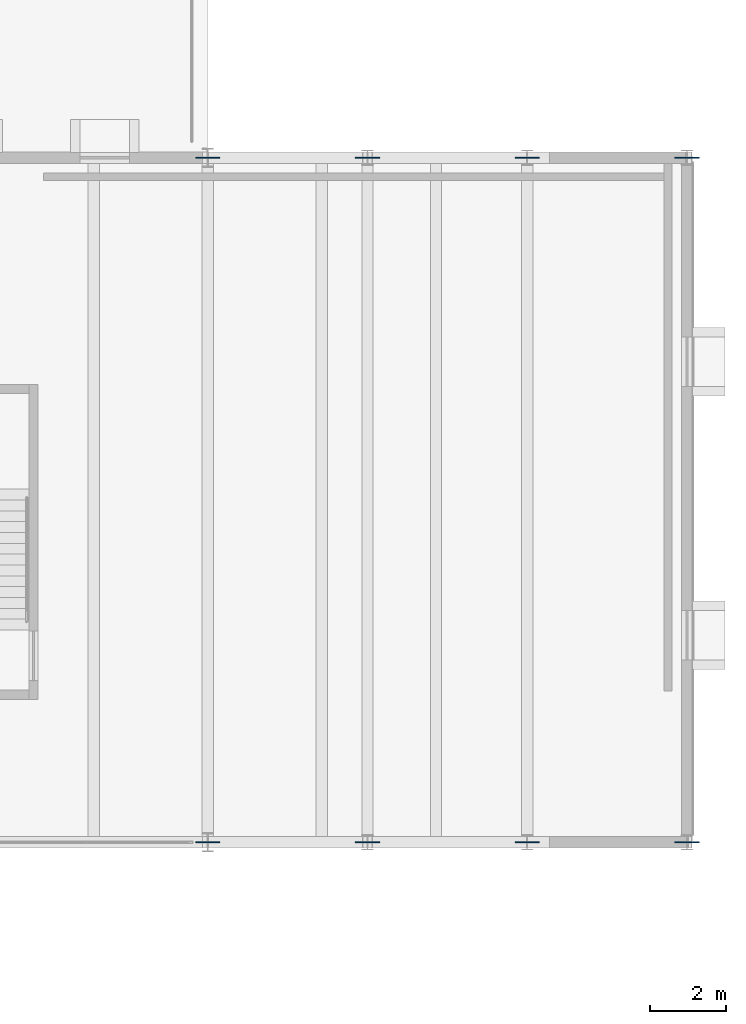
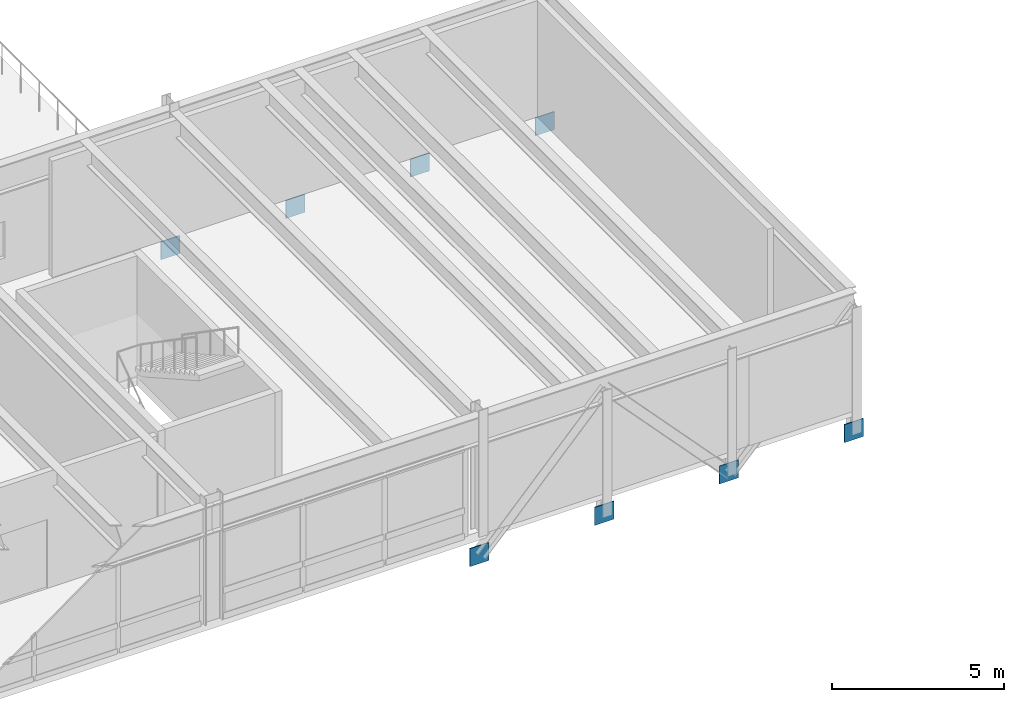
# One storey, part 101 of 115: 8 plates.
"""IFC4 building model written with IfcOpenShell, lengths in metres."""

import ifcopenshell
import ifcopenshell.guid

model = None  # the IFC model being written
_history = None  # IfcOwnerHistory: only IFC2X3 demands one
_inside = {}  # id of a spatial element -> (the spatial element, [elements in it])
_under = {}  # id of a project, library or spatial element -> (it, [spatial elements below it])
_declared = {}  # id of a project -> (the project, [libraries it declares])
_typed = {}  # id of a type object -> (the type object, [elements of that type])
_made_of = {}  # id of a material, layer set ... -> (it, [elements and type objects made of it])


def new_model(schema):
    """Start an empty IFC model of exactly this schema.

    Asked for "IFC4X3", IfcOpenShell would pick the latest addendum, in which some entities
    have other attributes; the version numbers below select the first issue.
    IFC2X3 requires an IfcOwnerHistory on every rooted entity: one is made here for all.
    """
    global model, _history
    if schema == "IFC4X3":
        model = ifcopenshell.file(schema_version=(4, 3, 0, 0))
    else:
        model = ifcopenshell.file(schema=schema)
    _inside.clear()
    _under.clear()
    _declared.clear()
    _typed.clear()
    _made_of.clear()
    _history = None
    if model.schema == "IFC2X3":
        org = make("IfcOrganization", Name="unknown")
        user = make(
            "IfcPersonAndOrganization",
            ThePerson=make("IfcPerson", FamilyName="unknown"),
            TheOrganization=org,
        )
        app = make(
            "IfcApplication",
            ApplicationDeveloper=org,
            Version="unknown",
            ApplicationFullName="unknown",
            ApplicationIdentifier="unknown",
        )
        _history = make(
            "IfcOwnerHistory",
            OwningUser=user,
            OwningApplication=app,
            ChangeAction="ADDED",
            CreationDate=0,
        )
    return model


def make(cls, **values):
    """One entity of the class cls with the attributes given. An attribute that is None is left unset."""
    return model.create_entity(
        cls, **{name: value for name, value in values.items() if value is not None}
    )


def rooted(cls, **values):
    """An entity with a GlobalId (a new one), such as an element, a storey or a relation."""
    return make(cls, GlobalId=ifcopenshell.guid.new(), OwnerHistory=_history, **values)


def si_unit(unit_type, name, prefix=None):
    """IfcSIUnit, for example si_unit("LENGTHUNIT", "METRE", prefix="MILLI")."""
    return make("IfcSIUnit", UnitType=unit_type, Prefix=prefix, Name=name)


def assignment(units):
    """IfcUnitAssignment: the units of a project."""
    return None if units is None else make("IfcUnitAssignment", Units=units)


def point(xyz):
    """IfcCartesianPoint."""
    return None if xyz is None else make("IfcCartesianPoint", Coordinates=xyz)


def direction(xyz):
    """IfcDirection."""
    return None if xyz is None else make("IfcDirection", DirectionRatios=xyz)


def frame(location, z_axis=None, x_axis=None):
    """IfcAxis2Placement3D, a coordinate frame: its origin and axes. An axis left out is left unset."""
    return make(
        "IfcAxis2Placement3D",
        Location=point(location),
        Axis=direction(z_axis),
        RefDirection=direction(x_axis),
    )


def frame_2d(location, x_axis=None):
    """IfcAxis2Placement2D, a coordinate frame in the plane: its origin and x axis."""
    return make(
        "IfcAxis2Placement2D", Location=point(location), RefDirection=direction(x_axis)
    )


def origin():
    """The frame at (0, 0, 0) with its axes left unset."""
    return frame((0.0, 0.0, 0.0))


def origin_2d():
    """The frame at (0, 0) in the plane with its x axis left unset."""
    return frame_2d((0.0, 0.0))


def place(relative_to, where):
    """IfcLocalPlacement: puts the frame where relative to a parent placement (None: the world)."""
    return make(
        "IfcLocalPlacement", PlacementRelTo=relative_to, RelativePlacement=where
    )


def context(
    kind, dimensions, precision=None, world=None, true_north=None, identifier=None
):
    """IfcGeometricRepresentationContext, for example the 3D "Model" context."""
    return make(
        "IfcGeometricRepresentationContext",
        ContextIdentifier=identifier,
        ContextType=kind,
        CoordinateSpaceDimension=dimensions,
        Precision=precision,
        WorldCoordinateSystem=world,
        TrueNorth=true_north,
    )


def subcontext(parent, identifier, kind, view, scale=None):
    """IfcGeometricRepresentationSubContext, for example "Body" below "Model"."""
    return make(
        "IfcGeometricRepresentationSubContext",
        ContextIdentifier=identifier,
        ContextType=kind,
        ParentContext=parent,
        TargetScale=scale,
        TargetView=view,
    )


def project(units=None, contexts=None):
    """IfcProject with its units and contexts."""
    return rooted(
        "IfcProject",
        Name="project",
        RepresentationContexts=contexts,
        UnitsInContext=assignment(units),
    )


def spatial(cls, under=None, at=None, **own):
    """A site, building, storey or space (cls), placed at a placement, below another one or the project."""
    s = rooted(cls, ObjectPlacement=at, **own)
    if under is not None:
        _under.setdefault(under.id(), (under, []))[1].append(s)
    return s


def profile(cls, at=None, kind="AREA", **sizes):
    """A parametric profile (cls). Its sizes go by their IFC names, for example OverallWidth=200.0."""
    return make(cls, ProfileType=kind, Position=at, **sizes)


def rectangle(**sizes):
    """IfcRectangleProfileDef."""
    return profile("IfcRectangleProfileDef", **sizes)


def extrude(swept, where, along, depth):
    """IfcExtrudedAreaSolid: the profile swept, set in the frame where, extruded along a direction by depth."""
    return make(
        "IfcExtrudedAreaSolid",
        SweptArea=swept,
        Position=where,
        ExtrudedDirection=direction(along),
        Depth=depth,
    )


def shape(context_of_items, identifier, shape_type, items):
    """IfcShapeRepresentation: the items that make up one representation, for example the "Body"."""
    return make(
        "IfcShapeRepresentation",
        ContextOfItems=context_of_items,
        RepresentationIdentifier=identifier,
        RepresentationType=shape_type,
        Items=items,
    )


def material(Name=None, Category=None):
    """IfcMaterial."""
    return make("IfcMaterial", Name=Name, Category=Category)


def layer(
    of_material, thickness, ventilated=None, Name=None, Category=None, Priority=None
):
    """IfcMaterialLayer: one layer of a wall or slab, of a material (None: an air gap)."""
    return make(
        "IfcMaterialLayer",
        Material=of_material,
        LayerThickness=thickness,
        IsVentilated=ventilated,
        Name=Name,
        Category=Category,
        Priority=Priority,
    )


def layer_set(layers, Name=None):
    """IfcMaterialLayerSet."""
    return make("IfcMaterialLayerSet", MaterialLayers=layers, LayerSetName=Name)


def made_of(thing, what):
    """Note that an element or type object is made of a material, layer set ...; save() writes the relation."""
    if what is not None:
        _made_of.setdefault(what.id(), (what, []))[1].append(thing)
    return thing


def type_object(cls, material=None, **own):
    """A type object (cls), such as IfcWallType, which elements share."""
    return made_of(rooted(cls, **own), material)


def element(
    cls,
    number,
    at=None,
    inside=None,
    cuts=None,
    type_object=None,
    material=None,
    context=None,
    identifier="Body",
    shape_type=None,
    held_by="IfcProductDefinitionShape",
    body=None,
    shapes=None,
    **own,
):
    """One element of the class cls, such as IfcWall. Its Tag is "e" and its number.

    at: its placement. inside: the storey or other place that contains it. cuts: it is an
    opening in that element (IfcRelVoidsElement). A single representation is given by context,
    identifier, shape_type and body (its items); several are given by shapes. held_by: the class
    of the entity that holds the representations. save() writes the other relations.
    """
    e = rooted(cls, Tag="e%d" % number, ObjectPlacement=at, **own)
    if body is not None:
        shapes = [shape(context, identifier, shape_type, body)]
    if shapes is not None:
        e.Representation = make(held_by, Representations=shapes)
    if inside is not None:
        _inside.setdefault(inside.id(), (inside, []))[1].append(e)
    if cuts is not None:
        rooted(
            "IfcRelVoidsElement", RelatingBuildingElement=cuts, RelatedOpeningElement=e
        )
    if type_object is not None:
        _typed.setdefault(type_object.id(), (type_object, []))[1].append(e)
    return made_of(e, material)


def aggregate(whole, parts):
    """IfcRelAggregates: a whole, such as a stair, and the parts it consists of."""
    return rooted("IfcRelAggregates", RelatingObject=whole, RelatedObjects=parts)


def save(model, path):
    """Write the relations noted so far, then the file.

    IfcRelAggregates (storeys below a building ...), IfcRelContainedInSpatialStructure (elements
    in a storey), IfcRelDefinesByType, IfcRelAssociatesMaterial and IfcRelDeclares: one each for
    every whole, place, type object, material and project.
    """
    for whole, parts in _under.values():
        aggregate(whole, parts)
    for where, things in _inside.values():
        rooted(
            "IfcRelContainedInSpatialStructure",
            RelatedElements=things,
            RelatingStructure=where,
        )
    for kind, things in _typed.values():
        rooted("IfcRelDefinesByType", RelatedObjects=things, RelatingType=kind)
    for what, things in _made_of.values():
        rooted("IfcRelAssociatesMaterial", RelatedObjects=things, RelatingMaterial=what)
    for by, libraries in _declared.values():
        rooted("IfcRelDeclares", RelatingContext=by, RelatedDefinitions=libraries)
    model.write(path)


model = new_model("IFC4")

# Units and contexts
model_context = context("Model", 3, precision=1e-05, world=origin(), true_north=direction((0.0, 1.0)))
body_context = subcontext(model_context, "Body", "Model", "MODEL_VIEW")
ifc_project = project(units=[si_unit("LENGTHUNIT", "METRE"), si_unit("AREAUNIT", "SQUARE_METRE"), si_unit("VOLUMEUNIT", "CUBIC_METRE"), si_unit("PLANEANGLEUNIT", "RADIAN"), si_unit("MASSUNIT", "GRAM", prefix="KILO")], contexts=[model_context])

# Site, building, storey
site_placement = place(None, origin())
site = spatial("IfcSite", under=ifc_project, at=site_placement, CompositionType="ELEMENT")
building_placement = place(site_placement, origin())
building = spatial("IfcBuilding", under=site, at=building_placement, Name="Montelvaro Courts of Justice", CompositionType="ELEMENT")
storey_placement = place(building_placement, frame((0.0, 0.0, 9.89990234375)))
storey = spatial("IfcBuildingStorey", under=building, at=storey_placement, Name="L02", CompositionType="ELEMENT", Elevation=9.89990234375)

# Plates
ifc_material = material(Name="Steel S355", Category="steel")
ifc_layer = layer(ifc_material, 0.028076171875)
ifc_layer_set = layer_set([ifc_layer], Name="Steel S355")
plate_type = type_object("IfcPlateType", Name="GussetPlate_28", PredefinedType="USERDEFINED", material=ifc_layer_set)
for number, where, z_axis, x_axis, name in (
    (1, (162.0, 78.0, -1.1240234375), (0.0, 0.0, 1.0), (1.0, 0.0, 0.0), "Pratt Truss Gusset Plate GP-02 CTR-V2-S-L02-0B"),
    (2, (166.199951171875, 78.0, -1.1240234375), (0.0, 0.0, 1.0), (1.0, 0.0, 0.0), "Pratt Truss Gusset Plate GP-02 CTR-V2-S-L02-1B"),
    (3, (170.39990234375, 78.0, -1.1240234375), (0.0, 0.0, 1.0), (1.0, 0.0, 0.0), "Pratt Truss Gusset Plate GP-02 CTR-V2-S-L02-2B"),
    (4, (174.60009765625, 78.0, -1.1240234375), (0.0, 0.0, 1.0), (1.0, 0.0, 0.0), "Pratt Truss Gusset Plate GP-02 CTR-V2-S-L02-3B"),
    (5, (162.0, 96.0, -1.1240234375), (0.0, 0.0, 1.0), (1.0, 0.0, 0.0), "Pratt Truss Gusset Plate GP-02 CTR-V2-N-L02-0B"),
    (6, (166.199951171875, 96.0, -1.1240234375), (0.0, 0.0, 1.0), (1.0, 0.0, 0.0), "Pratt Truss Gusset Plate GP-02 CTR-V2-N-L02-1B"),
    (7, (170.39990234375, 96.0, -1.1240234375), (0.0, 0.0, 1.0), (1.0, 0.0, 0.0), "Pratt Truss Gusset Plate GP-02 CTR-V2-N-L02-2B"),
    (8, (174.60009765625, 96.0, -1.1240234375), (0.0, 0.0, 1.0), (1.0, 0.0, 0.0), "Pratt Truss Gusset Plate GP-02 CTR-V2-N-L02-3B"),
):
    element("IfcPlate", number, at=place(storey_placement, frame(where, z_axis=z_axis, x_axis=x_axis)), inside=storey, type_object=plate_type, Name=name, ObjectType="GUSSET PLATE", PredefinedType="USERDEFINED", context=body_context, shape_type="SweptSolid", body=[
        extrude(rectangle(XDim=0.639892578125, YDim=0.028076171875, at=origin_2d()), origin(), (0.0, 0.0, 1.0), 0.639892578125),
    ])

save(model, "model.ifc")
